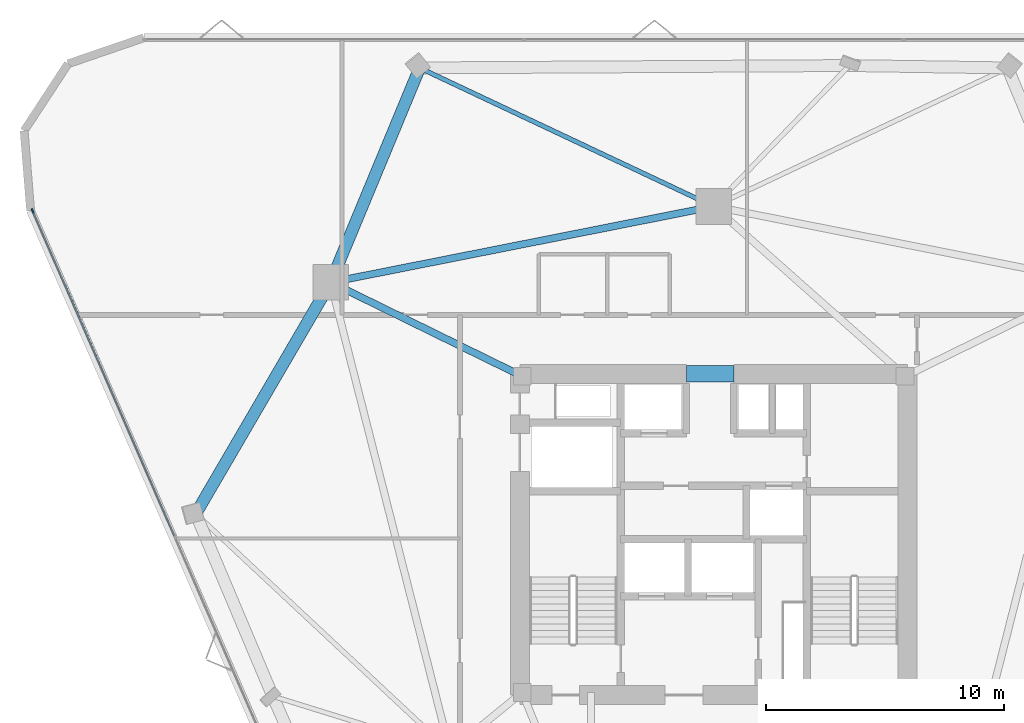
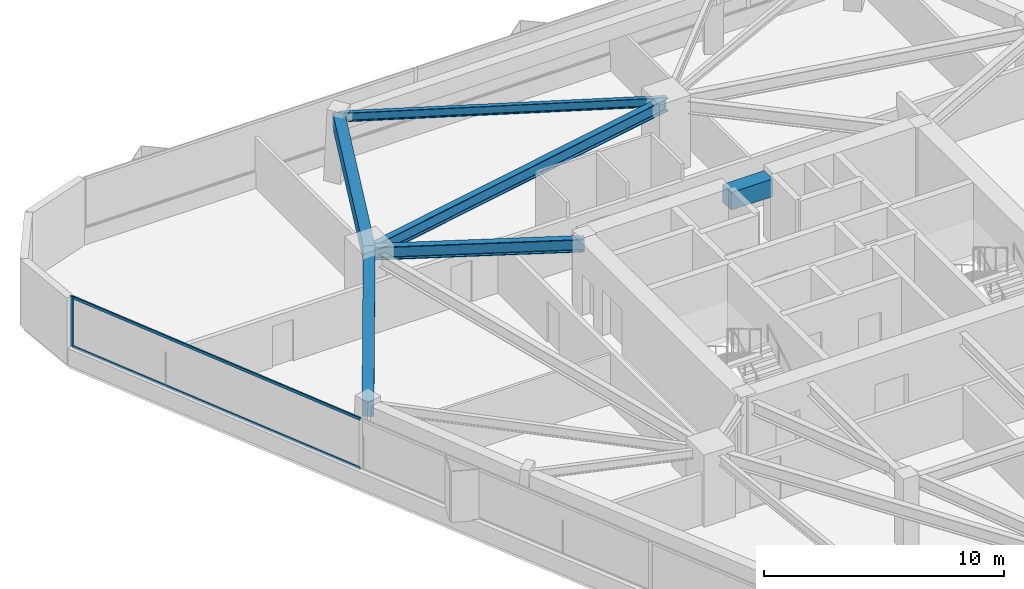
# One storey, part 5 of 14: 6 beams, 3 members, 1 element without a shape of its own.
"""IFC4 building model written with IfcOpenShell, lengths in metres."""

import ifcopenshell
import ifcopenshell.guid

model = None  # the IFC model being written
_history = None  # IfcOwnerHistory: only IFC2X3 demands one
_inside = {}  # id of a spatial element -> (the spatial element, [elements in it])
_under = {}  # id of a project, library or spatial element -> (it, [spatial elements below it])
_declared = {}  # id of a project -> (the project, [libraries it declares])
_typed = {}  # id of a type object -> (the type object, [elements of that type])
_made_of = {}  # id of a material, layer set ... -> (it, [elements and type objects made of it])


def new_model(schema):
    """Start an empty IFC model of exactly this schema.

    Asked for "IFC4X3", IfcOpenShell would pick the latest addendum, in which some entities
    have other attributes; the version numbers below select the first issue.
    IFC2X3 requires an IfcOwnerHistory on every rooted entity: one is made here for all.
    """
    global model, _history
    if schema == "IFC4X3":
        model = ifcopenshell.file(schema_version=(4, 3, 0, 0))
    else:
        model = ifcopenshell.file(schema=schema)
    _inside.clear()
    _under.clear()
    _declared.clear()
    _typed.clear()
    _made_of.clear()
    _history = None
    if model.schema == "IFC2X3":
        org = make("IfcOrganization", Name="unknown")
        user = make(
            "IfcPersonAndOrganization",
            ThePerson=make("IfcPerson", FamilyName="unknown"),
            TheOrganization=org,
        )
        app = make(
            "IfcApplication",
            ApplicationDeveloper=org,
            Version="unknown",
            ApplicationFullName="unknown",
            ApplicationIdentifier="unknown",
        )
        _history = make(
            "IfcOwnerHistory",
            OwningUser=user,
            OwningApplication=app,
            ChangeAction="ADDED",
            CreationDate=0,
        )
    return model


def make(cls, **values):
    """One entity of the class cls with the attributes given. An attribute that is None is left unset."""
    return model.create_entity(
        cls, **{name: value for name, value in values.items() if value is not None}
    )


def rooted(cls, **values):
    """An entity with a GlobalId (a new one), such as an element, a storey or a relation."""
    return make(cls, GlobalId=ifcopenshell.guid.new(), OwnerHistory=_history, **values)


def si_unit(unit_type, name, prefix=None):
    """IfcSIUnit, for example si_unit("LENGTHUNIT", "METRE", prefix="MILLI")."""
    return make("IfcSIUnit", UnitType=unit_type, Prefix=prefix, Name=name)


def assignment(units):
    """IfcUnitAssignment: the units of a project."""
    return None if units is None else make("IfcUnitAssignment", Units=units)


def point(xyz):
    """IfcCartesianPoint."""
    return None if xyz is None else make("IfcCartesianPoint", Coordinates=xyz)


def direction(xyz):
    """IfcDirection."""
    return None if xyz is None else make("IfcDirection", DirectionRatios=xyz)


def frame(location, z_axis=None, x_axis=None):
    """IfcAxis2Placement3D, a coordinate frame: its origin and axes. An axis left out is left unset."""
    return make(
        "IfcAxis2Placement3D",
        Location=point(location),
        Axis=direction(z_axis),
        RefDirection=direction(x_axis),
    )


def frame_2d(location, x_axis=None):
    """IfcAxis2Placement2D, a coordinate frame in the plane: its origin and x axis."""
    return make(
        "IfcAxis2Placement2D", Location=point(location), RefDirection=direction(x_axis)
    )


def origin():
    """The frame at (0, 0, 0) with its axes left unset."""
    return frame((0.0, 0.0, 0.0))


def origin_2d():
    """The frame at (0, 0) in the plane with its x axis left unset."""
    return frame_2d((0.0, 0.0))


def place(relative_to, where):
    """IfcLocalPlacement: puts the frame where relative to a parent placement (None: the world)."""
    return make(
        "IfcLocalPlacement", PlacementRelTo=relative_to, RelativePlacement=where
    )


def context(
    kind, dimensions, precision=None, world=None, true_north=None, identifier=None
):
    """IfcGeometricRepresentationContext, for example the 3D "Model" context."""
    return make(
        "IfcGeometricRepresentationContext",
        ContextIdentifier=identifier,
        ContextType=kind,
        CoordinateSpaceDimension=dimensions,
        Precision=precision,
        WorldCoordinateSystem=world,
        TrueNorth=true_north,
    )


def subcontext(parent, identifier, kind, view, scale=None):
    """IfcGeometricRepresentationSubContext, for example "Body" below "Model"."""
    return make(
        "IfcGeometricRepresentationSubContext",
        ContextIdentifier=identifier,
        ContextType=kind,
        ParentContext=parent,
        TargetScale=scale,
        TargetView=view,
    )


def project(units=None, contexts=None):
    """IfcProject with its units and contexts."""
    return rooted(
        "IfcProject",
        Name="project",
        RepresentationContexts=contexts,
        UnitsInContext=assignment(units),
    )


def spatial(cls, under=None, at=None, **own):
    """A site, building, storey or space (cls), placed at a placement, below another one or the project."""
    s = rooted(cls, ObjectPlacement=at, **own)
    if under is not None:
        _under.setdefault(under.id(), (under, []))[1].append(s)
    return s


def profile(cls, at=None, kind="AREA", **sizes):
    """A parametric profile (cls). Its sizes go by their IFC names, for example OverallWidth=200.0."""
    return make(cls, ProfileType=kind, Position=at, **sizes)


def rectangle(**sizes):
    """IfcRectangleProfileDef."""
    return profile("IfcRectangleProfileDef", **sizes)


def i_section(**sizes):
    """IfcIShapeProfileDef."""
    return profile("IfcIShapeProfileDef", **sizes)


def extrude(swept, where, along, depth):
    """IfcExtrudedAreaSolid: the profile swept, set in the frame where, extruded along a direction by depth."""
    return make(
        "IfcExtrudedAreaSolid",
        SweptArea=swept,
        Position=where,
        ExtrudedDirection=direction(along),
        Depth=depth,
    )


def shape(context_of_items, identifier, shape_type, items):
    """IfcShapeRepresentation: the items that make up one representation, for example the "Body"."""
    return make(
        "IfcShapeRepresentation",
        ContextOfItems=context_of_items,
        RepresentationIdentifier=identifier,
        RepresentationType=shape_type,
        Items=items,
    )


def material(Name=None, Category=None):
    """IfcMaterial."""
    return make("IfcMaterial", Name=Name, Category=Category)


def layer(
    of_material, thickness, ventilated=None, Name=None, Category=None, Priority=None
):
    """IfcMaterialLayer: one layer of a wall or slab, of a material (None: an air gap)."""
    return make(
        "IfcMaterialLayer",
        Material=of_material,
        LayerThickness=thickness,
        IsVentilated=ventilated,
        Name=Name,
        Category=Category,
        Priority=Priority,
    )


def layer_set(layers, Name=None):
    """IfcMaterialLayerSet."""
    return make("IfcMaterialLayerSet", MaterialLayers=layers, LayerSetName=Name)


def material_profile(
    of_material, cross_section, Name=None, Category=None, Priority=None
):
    """IfcMaterialProfile: a cross section and its material."""
    return make(
        "IfcMaterialProfile",
        Name=Name,
        Material=of_material,
        Profile=cross_section,
        Priority=Priority,
        Category=Category,
    )


def profile_set(profiles, Name=None, composite=None):
    """IfcMaterialProfileSet."""
    return make(
        "IfcMaterialProfileSet",
        Name=Name,
        MaterialProfiles=profiles,
        CompositeProfile=composite,
    )


def made_of(thing, what):
    """Note that an element or type object is made of a material, layer set ...; save() writes the relation."""
    if what is not None:
        _made_of.setdefault(what.id(), (what, []))[1].append(thing)
    return thing


def type_object(cls, material=None, **own):
    """A type object (cls), such as IfcWallType, which elements share."""
    return made_of(rooted(cls, **own), material)


def element(
    cls,
    number,
    at=None,
    inside=None,
    cuts=None,
    type_object=None,
    material=None,
    context=None,
    identifier="Body",
    shape_type=None,
    held_by="IfcProductDefinitionShape",
    body=None,
    shapes=None,
    **own,
):
    """One element of the class cls, such as IfcWall. Its Tag is "e" and its number.

    at: its placement. inside: the storey or other place that contains it. cuts: it is an
    opening in that element (IfcRelVoidsElement). A single representation is given by context,
    identifier, shape_type and body (its items); several are given by shapes. held_by: the class
    of the entity that holds the representations. save() writes the other relations.
    """
    e = rooted(cls, Tag="e%d" % number, ObjectPlacement=at, **own)
    if body is not None:
        shapes = [shape(context, identifier, shape_type, body)]
    if shapes is not None:
        e.Representation = make(held_by, Representations=shapes)
    if inside is not None:
        _inside.setdefault(inside.id(), (inside, []))[1].append(e)
    if cuts is not None:
        rooted(
            "IfcRelVoidsElement", RelatingBuildingElement=cuts, RelatedOpeningElement=e
        )
    if type_object is not None:
        _typed.setdefault(type_object.id(), (type_object, []))[1].append(e)
    return made_of(e, material)


def aggregate(whole, parts):
    """IfcRelAggregates: a whole, such as a stair, and the parts it consists of."""
    return rooted("IfcRelAggregates", RelatingObject=whole, RelatedObjects=parts)


def save(model, path):
    """Write the relations noted so far, then the file.

    IfcRelAggregates (storeys below a building ...), IfcRelContainedInSpatialStructure (elements
    in a storey), IfcRelDefinesByType, IfcRelAssociatesMaterial and IfcRelDeclares: one each for
    every whole, place, type object, material and project.
    """
    for whole, parts in _under.values():
        aggregate(whole, parts)
    for where, things in _inside.values():
        rooted(
            "IfcRelContainedInSpatialStructure",
            RelatedElements=things,
            RelatingStructure=where,
        )
    for kind, things in _typed.values():
        rooted("IfcRelDefinesByType", RelatedObjects=things, RelatingType=kind)
    for what, things in _made_of.values():
        rooted("IfcRelAssociatesMaterial", RelatedObjects=things, RelatingMaterial=what)
    for by, libraries in _declared.values():
        rooted("IfcRelDeclares", RelatingContext=by, RelatedDefinitions=libraries)
    model.write(path)


model = new_model("IFC4")

# Units and contexts
model_context = context("Model", 3, precision=1e-05, world=origin(), true_north=direction((0.0, 1.0)))
body_context = subcontext(model_context, "Body", "Model", "MODEL_VIEW")
ifc_project = project(units=[si_unit("LENGTHUNIT", "METRE"), si_unit("AREAUNIT", "SQUARE_METRE"), si_unit("VOLUMEUNIT", "CUBIC_METRE"), si_unit("PLANEANGLEUNIT", "RADIAN"), si_unit("MASSUNIT", "GRAM", prefix="KILO")], contexts=[model_context])

# Site, building, storey
site_placement = place(None, origin())
site = spatial("IfcSite", under=ifc_project, at=site_placement, CompositionType="ELEMENT")
building_placement = place(site_placement, origin())
building = spatial("IfcBuilding", under=site, at=building_placement, Name="Talyreon Biosciences Tower", CompositionType="ELEMENT")
storey_placement = place(building_placement, frame((0.0, 0.0, 138.14990234375)))
storey = spatial("IfcBuildingStorey", under=building, at=storey_placement, Name="L36", CompositionType="ELEMENT", Elevation=138.14990234375)

# Curtain wall, members
ifc_material_1 = material(Name="Thermally broken aluminium and low-E glazing", Category="aluminium")
ifc_layer = layer(ifc_material_1, 0.18505859375)
ifc_layer_set = layer_set([ifc_layer], Name="Thermally broken aluminium and low-E glazing")
curtain_wall_type = type_object("IfcCurtainWallType", Name="CurtainWall_Zone3Bioprocess", PredefinedType="NOTDEFINED", material=ifc_layer_set)
curtain_wall_placement = place(storey_placement, origin())
curtain_wall = element("IfcCurtainWall", 1, at=curtain_wall_placement, inside=storey, type_object=curtain_wall_type, Name="L36 Unitised Curtain Wall FCW-L36-00", PredefinedType="NOTDEFINED")
ifc_material_2 = material(Name="Anodised thermally broken aluminium", Category="aluminium")
ifc_material_profile_1 = material_profile(ifc_material_2, rectangle(XDim=0.06494140625, YDim=0.179931640625, at=origin_2d()), Name="ALUM MULLION 65x180")
ifc_profile_set_1 = profile_set([ifc_material_profile_1], Name="Anodised thermally broken aluminium")
member_type_1 = type_object("IfcMemberType", Name="CWMullion_65x180", PredefinedType="MULLION", material=ifc_profile_set_1)
member_1_placement = place(storey_placement, frame((37.362548828125, 81.609130859375, 0.81005859375), z_axis=(0.0, 0.0, 1.0), x_axis=(-0.916566441856, -0.399882429801, 0.0)))
member_1 = element("IfcMember", 2, at=member_1_placement, type_object=member_type_1, Name="CW4 mullion 5", PredefinedType="MULLION", context=body_context, shape_type="SweptSolid", body=[
    extrude(rectangle(XDim=0.06494140625, YDim=0.179931640625, at=origin_2d()), origin(), (0.0, 0.0, 1.0), 2.56494140625),
])
ifc_material_profile_2 = material_profile(ifc_material_2, rectangle(XDim=0.06494140625, YDim=0.139892578125, at=origin_2d()), Name="ALUM TRANSOM 65x140")
ifc_profile_set_2 = profile_set([ifc_material_profile_2], Name="Anodised thermally broken aluminium")
member_type_2 = type_object("IfcMemberType", Name="CWTransom_65x140", PredefinedType="USERDEFINED", material=ifc_profile_set_2)
member_2_placement = place(storey_placement, frame((43.325927734375, 67.940185546875, 0.842529296875), z_axis=(-0.39988306059, 0.916566166653, 0.0), x_axis=(-0.916566166653, -0.39988306059, 0.0)))
member_2 = element("IfcMember", 3, at=member_2_placement, type_object=member_type_2, Name="CW4 transom 4.1", ObjectType="TRANSOM", PredefinedType="USERDEFINED", context=body_context, shape_type="SweptSolid", body=[
    extrude(rectangle(XDim=0.06494140625, YDim=0.139892578125, at=origin_2d()), origin(), (0.0, 0.0, 1.0), 14.88037109375),
])
member_3_placement = place(storey_placement, frame((43.325927734375, 67.940185546875, 3.342529296875), z_axis=(-0.39988306059, 0.916566166653, 0.0), x_axis=(-0.916566166653, -0.39988306059, 0.0)))
member_3 = element("IfcMember", 4, at=member_3_placement, type_object=member_type_2, Name="CW4 transom 4.2", ObjectType="TRANSOM", PredefinedType="USERDEFINED", context=body_context, shape_type="SweptSolid", body=[
    extrude(rectangle(XDim=0.06494140625, YDim=0.139892578125, at=origin_2d()), origin(), (0.0, 0.0, 1.0), 14.88037109375),
])
aggregate(curtain_wall, [member_1, member_2, member_3])

# Beams
ifc_material_3 = material(Name="Concrete C60/75", Category="concrete")
ifc_material_profile_3 = material_profile(ifc_material_3, rectangle(XDim=0.699951171875, YDim=0.89990234375, at=origin_2d()), Name="RCB 700x900")
ifc_profile_set_3 = profile_set([ifc_material_profile_3], Name="Concrete C60/75")
beam_type_1 = type_object("IfcBeamType", Name="CoreCouplingLintel_700x900", PredefinedType="LINTEL", material=ifc_profile_set_3)
beam_1_placement = place(storey_placement, frame((64.85009765625, 74.75, 2.925048828125), z_axis=(1.0, 0.0, 0.0), x_axis=(0.0, 1.0, 0.0)))
element("IfcBeam", 5, at=beam_1_placement, inside=storey, type_object=beam_type_1, Name="L36 Core Coupling Lintel", PredefinedType="LINTEL", context=body_context, shape_type="SweptSolid", body=[
    extrude(rectangle(XDim=0.699951171875, YDim=0.89990234375, at=origin_2d()), origin(), (0.0, 0.0, 1.0), 2.0),
])
ifc_material_4 = material(Name="Precast concrete C45/55", Category="concrete")
ifc_material_profile_4 = material_profile(ifc_material_4, rectangle(XDim=0.5, YDim=0.780029296875, at=origin_2d()), Name="RCB 500x780")
ifc_profile_set_4 = profile_set([ifc_material_profile_4], Name="Precast concrete C45/55")
beam_type_2 = type_object("IfcBeamType", Name="ExpressedSpandrel_500x780", PredefinedType="SPANDREL", material=ifc_profile_set_4)
beam_2_placement = place(storey_placement, frame((53.639892578125, 87.614013671875, 2.985107421875), z_axis=(-0.383373646128, -0.923593334458, 0.0), x_axis=(0.923593334458, -0.383373646128, 0.0)))
element("IfcBeam", 6, at=beam_2_placement, inside=storey, type_object=beam_type_2, Name="L36 Expressed Horizontal Concrete Spandrel 08", PredefinedType="SPANDREL", context=body_context, shape_type="SweptSolid", body=[
    extrude(rectangle(XDim=0.5, YDim=0.780029296875, at=origin_2d()), origin(), (0.0, 0.0, 1.0), 9.76123046875),
])
beam_3_placement = place(storey_placement, frame((49.897705078125, 78.5986328125, 2.985107421875), z_axis=(-0.503712017372, -0.86387163604, 0.0), x_axis=(0.86387163604, -0.503712017372, 0.0)))
element("IfcBeam", 7, at=beam_3_placement, inside=storey, type_object=beam_type_2, Name="L36 Expressed Horizontal Concrete Spandrel 09", PredefinedType="SPANDREL", context=body_context, shape_type="SweptSolid", body=[
    extrude(rectangle(XDim=0.5, YDim=0.780029296875, at=origin_2d()), origin(), (0.0, 0.0, 1.0), 11.265380859375),
])
ifc_material_5 = material(Name="Steel SM355", Category="steel")
ifc_material_profile_5 = material_profile(ifc_material_5, i_section(OverallWidth=0.300048828125, OverallDepth=0.64990234375, WebThickness=0.01611328125, FlangeThickness=0.031005859375, FilletRadius=0.027099609375, at=origin_2d()), Name="HE650B")
ifc_profile_set_5 = profile_set([ifc_material_profile_5], Name="Steel SM355")
beam_type_3 = type_object("IfcBeamType", Name="SteelBeam_HE650B", PredefinedType="BEAM", material=ifc_profile_set_5)
beam_4_placement = place(storey_placement, frame((66.0, 81.788818359375, 3.050048828125), z_axis=(-0.980933730698, -0.194342522311, 0.0), x_axis=(0.194342522311, -0.980933730698, 0.0)))
element("IfcBeam", 8, at=beam_4_placement, inside=storey, type_object=beam_type_3, Name="L36 Mega-Ring Girder 4", PredefinedType="BEAM", context=body_context, shape_type="SweptSolid", body=[
    extrude(i_section(OverallWidth=0.300048828125, OverallDepth=0.64990234375, WebThickness=0.01611328125, FlangeThickness=0.031005859375, FilletRadius=0.027099609375, at=origin_2d()), origin(), (0.0, 0.0, 1.0), 16.415283203125),
])
beam_5_placement = place(storey_placement, frame((57.949951171875, 74.64990234375, 3.050048828125), z_axis=(-0.897852360314, 0.440296648952, 0.0), x_axis=(-0.440296648952, -0.897852360314, 0.0)))
element("IfcBeam", 9, at=beam_5_placement, inside=storey, type_object=beam_type_3, Name="L36 Radial Primary Girder 5", PredefinedType="BEAM", context=body_context, shape_type="SweptSolid", body=[
    extrude(i_section(OverallWidth=0.300048828125, OverallDepth=0.64990234375, WebThickness=0.01611328125, FlangeThickness=0.031005859375, FilletRadius=0.027099609375, at=origin_2d()), origin(), (0.0, 0.0, 1.0), 8.96826171875),
])
ifc_material_profile_6 = material_profile(ifc_material_5, i_section(OverallWidth=0.18994140625, OverallDepth=0.449951171875, WebThickness=0.009521484375, FlangeThickness=0.0146484375, FilletRadius=0.02099609375, at=origin_2d()), Name="IPE450")
ifc_profile_set_6 = profile_set([ifc_material_profile_6], Name="Steel SM355")
beam_type_4 = type_object("IfcBeamType", Name="SteelJoist_IPE450", PredefinedType="JOIST", material=ifc_profile_set_6)
beam_6_placement = place(storey_placement, frame((66.0, 81.788818359375, 3.150146484375), z_axis=(-0.90457397678, 0.426316690422, 0.0), x_axis=(-0.426316690422, -0.90457397678, 0.0)))
element("IfcBeam", 10, at=beam_6_placement, inside=storey, type_object=beam_type_4, Name="L36 Radial Composite Floor Joist PC-N2", PredefinedType="JOIST", context=body_context, shape_type="SweptSolid", body=[
    extrude(i_section(OverallWidth=0.18994140625, OverallDepth=0.449951171875, WebThickness=0.009521484375, FlangeThickness=0.0146484375, FilletRadius=0.02099609375, at=origin_2d()), origin(), (0.0, 0.0, 1.0), 13.6640625),
])

save(model, "model.ifc")
